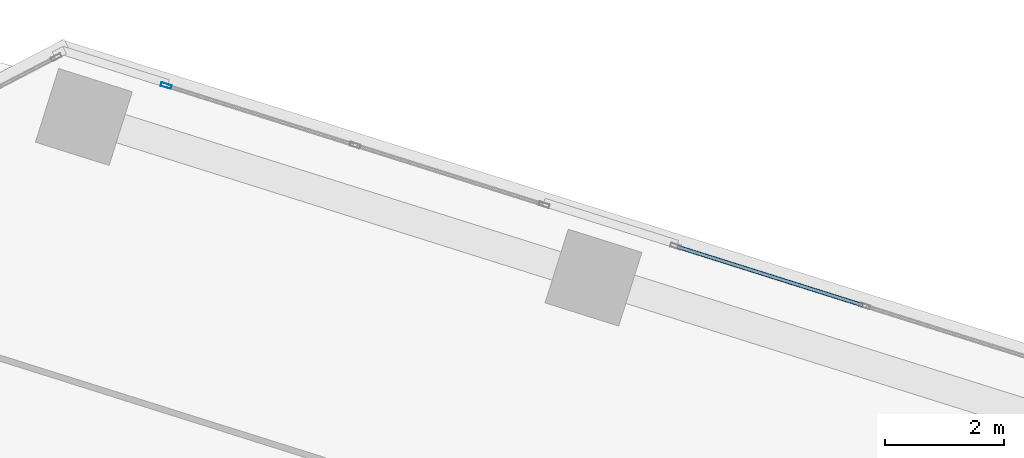
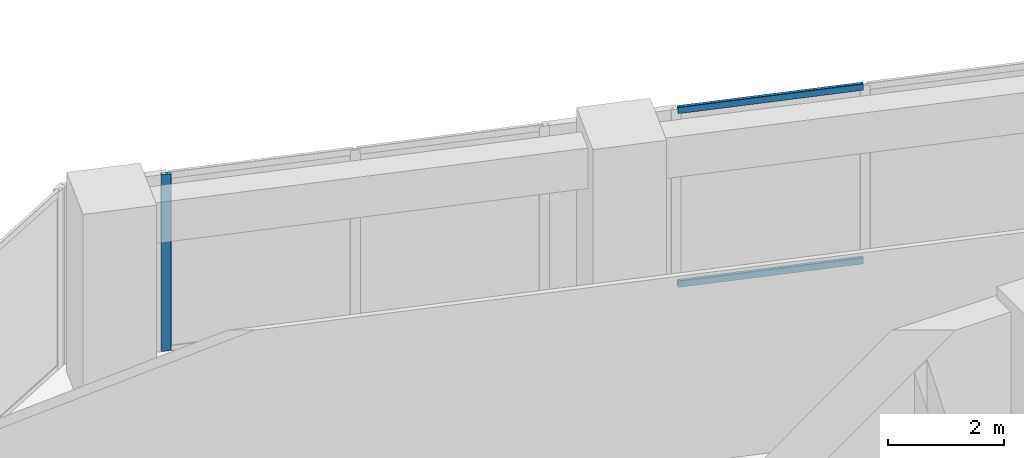
# One storey, part 14 of 28: 3 members, 2 elements without a shape of their own.
"""IFC4 building model written with IfcOpenShell, lengths in metres."""

from ifc_helpers import new_model, si_unit, direction, frame, origin, origin_2d, place, context, subcontext, project, spatial, hollow_rectangle, extrude, source, transform, mapped, material, material_profile, profile_set, type_object, element, aggregate, save


model = new_model("IFC4")

# Units and contexts
model_context = context("Model", 3, precision=1e-05, world=origin(), true_north=direction((0.0, 1.0)))
body_context = subcontext(model_context, "Body", "Model", "MODEL_VIEW")
ifc_project = project(units=[si_unit("LENGTHUNIT", "METRE"), si_unit("AREAUNIT", "SQUARE_METRE"), si_unit("VOLUMEUNIT", "CUBIC_METRE"), si_unit("PLANEANGLEUNIT", "RADIAN"), si_unit("MASSUNIT", "GRAM", prefix="KILO")], contexts=[model_context])

# Site, building, storey
site_placement = place(None, origin())
site = spatial("IfcSite", under=ifc_project, at=site_placement, CompositionType="ELEMENT")
building_placement = place(site_placement, origin())
building = spatial("IfcBuilding", under=site, at=building_placement, Name="Torre Montelarca", CompositionType="ELEMENT")
storey_placement = place(building_placement, frame((0.0, 0.0, 112.60009765625)))
storey = spatial("IfcBuildingStorey", under=building, at=storey_placement, Name="L25", CompositionType="ELEMENT", Elevation=112.60009765625)

# Curtain wall, members
ifc_material_1 = material(Name="Insulated low-E laminated glass", Category="glass")
curtain_wall_type = type_object("IfcCurtainWallType", Name="CW-SYS-Z1", PredefinedType="USERDEFINED", material=ifc_material_1)
curtain_wall_1_placement = place(storey_placement, origin())
curtain_wall_1 = element("IfcCurtainWall", 1, at=curtain_wall_1_placement, inside=storey, type_object=curtain_wall_type, Name="L25 Curtain Wall Run CW-T3-L25-E08-B3", ObjectType="UNITISED GLAZING", PredefinedType="USERDEFINED")
ifc_material_2 = material(Name="Anodised aluminium AA 6063-T6", Category="aluminium")
ifc_material_profile_1 = material_profile(ifc_material_2, hollow_rectangle(XDim=0.06494140625, YDim=0.139892578125, WallThickness=0.00390625, InnerFilletRadius=0.00390625, OuterFilletRadius=0.008056640625, at=origin_2d()), Name="ALU65X140X4", Category="aluminium")
ifc_profile_set_1 = profile_set([ifc_material_profile_1], Name="Anodised aluminium AA 6063-T6")
member_type_1 = type_object("IfcMemberType", Name="CWT-ALU140", PredefinedType="USERDEFINED", material=ifc_profile_set_1)
shared_shape_1 = source(origin(), body_context, "Body", "SweptSolid", [
    extrude(hollow_rectangle(XDim=0.06494140625, YDim=0.139892578125, WallThickness=0.00390625, InnerFilletRadius=0.00390625, OuterFilletRadius=0.008056640625, at=origin_2d()), origin(), (0.0, 0.0, 1.0), 3.2724609375),
])
member_1_placement = place(storey_placement, frame((27.255126953125, 47.03515625, 0.032470703125), z_axis=(-0.953712237681, 0.300720747035, 0.0), x_axis=(-0.300720747035, -0.953712237681, 0.0)))
member_1 = element("IfcMember", 2, at=member_1_placement, type_object=member_type_1, Name="CW transom 2.1", ObjectType="TRANSOM", PredefinedType="USERDEFINED", context=body_context, shape_type="MappedRepresentation", body=[
    mapped(shared_shape_1, transform((0.0, 0.0, 0.0), scale=1.0)),
])
member_2_placement = place(storey_placement, frame((27.255126953125, 47.03515625, 3.6875), z_axis=(-0.953712237681, 0.300720747035, 0.0), x_axis=(-0.300720747035, -0.953712237681, 0.0)))
member_2 = element("IfcMember", 3, at=member_2_placement, type_object=member_type_1, Name="CW transom 2.2", ObjectType="TRANSOM", PredefinedType="USERDEFINED", context=body_context, shape_type="MappedRepresentation", body=[
    mapped(shared_shape_1, transform((0.0, 0.0, 0.0), scale=1.0)),
])
aggregate(curtain_wall_1, [member_1, member_2])

# Curtain wall, member
curtain_wall_2_placement = place(storey_placement, origin())
curtain_wall_2 = element("IfcCurtainWall", 4, at=curtain_wall_2_placement, inside=storey, type_object=curtain_wall_type, Name="L25 Curtain Wall Run CW-T3-L25-E08-B4", ObjectType="UNITISED GLAZING", PredefinedType="USERDEFINED")
ifc_material_profile_2 = material_profile(ifc_material_2, hollow_rectangle(XDim=0.06494140625, YDim=0.179931640625, WallThickness=0.00390625, InnerFilletRadius=0.00390625, OuterFilletRadius=0.008056640625, at=origin_2d()), Name="ALU65X180X4", Category="aluminium")
ifc_profile_set_2 = profile_set([ifc_material_profile_2], Name="Anodised aluminium AA 6063-T6")
member_type_2 = type_object("IfcMemberType", Name="CWM-ALU180", PredefinedType="MULLION", material=ifc_profile_set_2)
shared_shape_2 = source(origin(), body_context, "Body", "SweptSolid", [
    extrude(hollow_rectangle(XDim=0.06494140625, YDim=0.179931640625, WallThickness=0.00390625, InnerFilletRadius=0.00390625, OuterFilletRadius=0.008056640625, at=origin_2d()), origin(), (0.0, 0.0, 1.0), 3.719970703125),
])
member_3_placement = place(storey_placement, frame((15.51953125, 50.7353515625, 0.0), z_axis=(0.0, 0.0, 1.0), x_axis=(-0.300696063452, -0.953720020459, 0.0)))
member_3 = element("IfcMember", 5, at=member_3_placement, type_object=member_type_2, Name="CW mullion 3", PredefinedType="MULLION", context=body_context, shape_type="MappedRepresentation", body=[
    mapped(shared_shape_2, transform((0.0, 0.0, 0.0), scale=1.0)),
])
aggregate(curtain_wall_2, [member_3])

save(model, "model.ifc")
